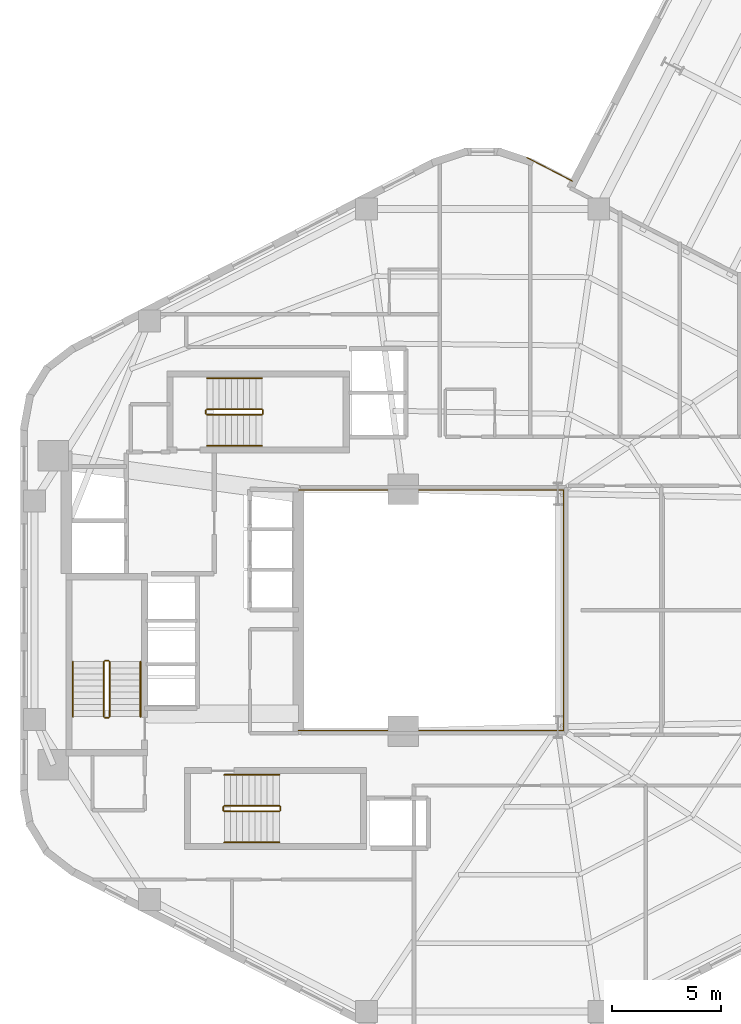
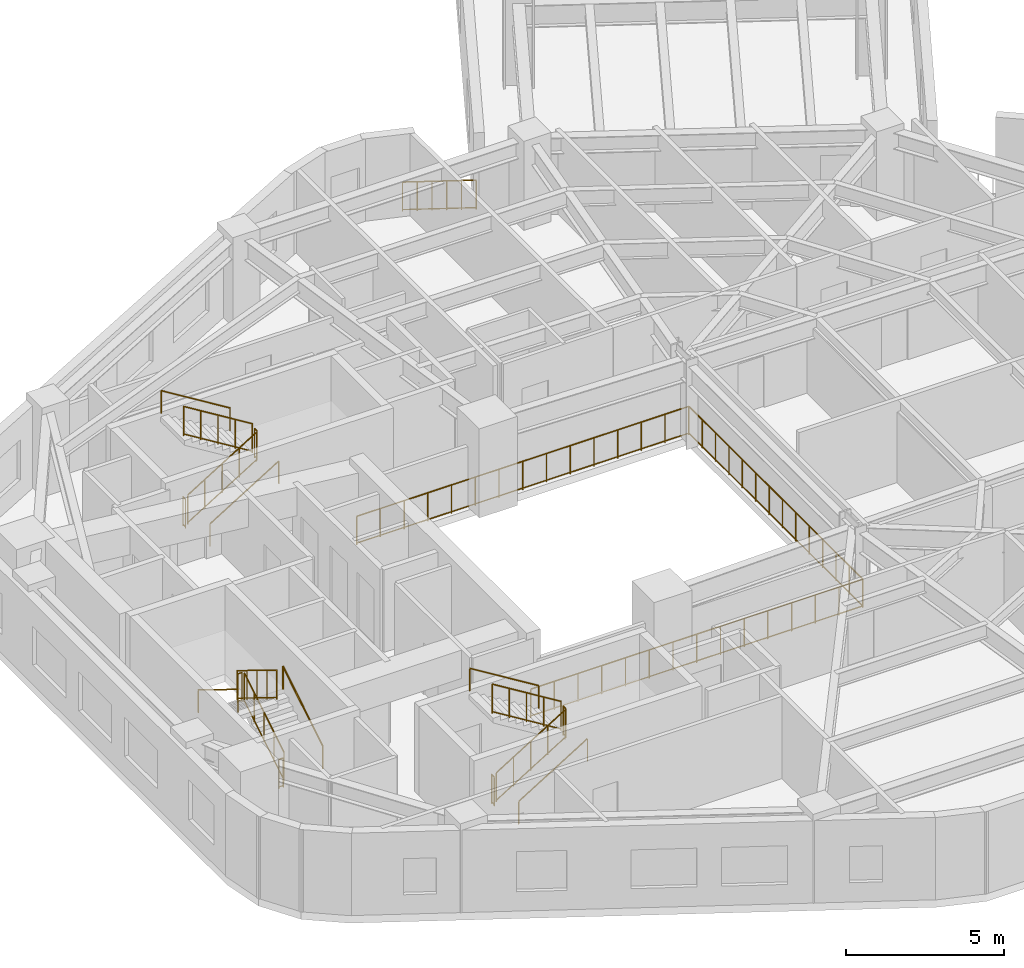
# One storey, part 10 of 11: 20 railings.
"""IFC4 building model written with IfcOpenShell, lengths in metres."""

from ifc_helpers import new_model, si_unit, direction, frame, origin, origin_2d, place, context, subcontext, project, spatial, circle, extrude, material, type_object, element, save


model = new_model("IFC4")

# Units and contexts
model_context = context("Model", 3, precision=1e-05, world=origin(), true_north=direction((0.0, 1.0)))
body_context = subcontext(model_context, "Body", "Model", "MODEL_VIEW")
ifc_project = project(units=[si_unit("LENGTHUNIT", "METRE"), si_unit("AREAUNIT", "SQUARE_METRE"), si_unit("VOLUMEUNIT", "CUBIC_METRE"), si_unit("PLANEANGLEUNIT", "RADIAN"), si_unit("MASSUNIT", "GRAM", prefix="KILO"), si_unit("THERMODYNAMICTEMPERATUREUNIT", "KELVIN"), si_unit("POWERUNIT", "WATT")], contexts=[model_context])

# Site, building, storey
site_placement = place(None, origin())
site = spatial("IfcSite", under=ifc_project, at=site_placement, CompositionType="ELEMENT")
building_placement = place(site_placement, origin())
building = spatial("IfcBuilding", under=site, at=building_placement, Name="Skarre Station Tower", CompositionType="ELEMENT")
storey_placement = place(building_placement, frame((0.0, 0.0, 118.800048828125)))
storey = spatial("IfcBuildingStorey", under=building, at=storey_placement, Name="L31", CompositionType="ELEMENT", Elevation=118.800048828125)

# Railings
ifc_material_1 = material(Name="Bronze Anodized Steel & Laminated Glass Balustrade", Category="steel")
railing_type_1 = type_object("IfcRailingType", Name="Atrium Void & Mezzanine Guard Balustrade 1120", PredefinedType="GUARDRAIL", material=ifc_material_1)
railing_1_placement = place(storey_placement, frame((27.550048828125, 18.47998046875, 0.0)))
element("IfcRailing", 1, at=railing_1_placement, inside=storey, type_object=railing_type_1, Name="L31 Atrium Void Guard Balustrade", PredefinedType="GUARDRAIL", context=body_context, shape_type="SweptSolid", body=[
    extrude(circle(Radius=0.02392578125, at=origin_2d()), frame((0.0, 0.0, 1.09619140625), z_axis=(1.0, 0.0, 0.0), x_axis=(0.0, 1.0, 0.0)), (0.0, 0.0, 1.0), 12.169921875),
    extrude(circle(Radius=0.02099609375, at=origin_2d()), frame((0.0, 0.0, 0.06005859375), z_axis=(1.0, 0.0, 0.0), x_axis=(0.0, 1.0, 0.0)), (0.0, 0.0, 1.0), 12.169921875),
    extrude(circle(Radius=0.02392578125, at=origin_2d()), frame((12.169921875, 0.0, 1.09619140625), z_axis=(0.0, 1.0, 0.0), x_axis=(-1.0, 0.0, 0.0)), (0.0, 0.0, 1.0), 11.0400390625),
    extrude(circle(Radius=0.02099609375, at=origin_2d()), frame((12.169921875, 0.0, 0.06005859375), z_axis=(0.0, 1.0, 0.0), x_axis=(-1.0, 0.0, 0.0)), (0.0, 0.0, 1.0), 11.0400390625),
    extrude(circle(Radius=0.02392578125, at=origin_2d()), frame((12.169921875, 11.0400390625, 1.09619140625), z_axis=(-1.0, 0.0, 0.0), x_axis=(0.0, -1.0, 0.0)), (0.0, 0.0, 1.0), 12.169921875),
    extrude(circle(Radius=0.02099609375, at=origin_2d()), frame((12.169921875, 11.0400390625, 0.06005859375), z_axis=(-1.0, 0.0, 0.0), x_axis=(0.0, -1.0, 0.0)), (0.0, 0.0, 1.0), 12.169921875),
    extrude(circle(Radius=0.02099609375, at=origin_2d()), origin(), (0.0, 0.0, 1.0), 1.072021484375),
    extrude(circle(Radius=0.02099609375, at=origin_2d()), frame((0.869384765625, 0.0, 0.0)), (0.0, 0.0, 1.0), 1.072021484375),
    extrude(circle(Radius=0.02099609375, at=origin_2d()), frame((1.738525390625, 0.0, 0.0)), (0.0, 0.0, 1.0), 1.072021484375),
    extrude(circle(Radius=0.02099609375, at=origin_2d()), frame((2.60791015625, 0.0, 0.0)), (0.0, 0.0, 1.0), 1.072021484375),
    extrude(circle(Radius=0.02099609375, at=origin_2d()), frame((3.47705078125, 0.0, 0.0)), (0.0, 0.0, 1.0), 1.072021484375),
    extrude(circle(Radius=0.02099609375, at=origin_2d()), frame((4.346435546875, 0.0, 0.0)), (0.0, 0.0, 1.0), 1.072021484375),
    extrude(circle(Radius=0.02099609375, at=origin_2d()), frame((5.215576171875, 0.0, 0.0)), (0.0, 0.0, 1.0), 1.072021484375),
    extrude(circle(Radius=0.02099609375, at=origin_2d()), frame((6.0849609375, 0.0, 0.0)), (0.0, 0.0, 1.0), 1.072021484375),
    extrude(circle(Radius=0.02099609375, at=origin_2d()), frame((6.954345703125, 0.0, 0.0)), (0.0, 0.0, 1.0), 1.072021484375),
    extrude(circle(Radius=0.02099609375, at=origin_2d()), frame((7.823486328125, 0.0, 0.0)), (0.0, 0.0, 1.0), 1.072021484375),
    extrude(circle(Radius=0.02099609375, at=origin_2d()), frame((8.69287109375, 0.0, 0.0)), (0.0, 0.0, 1.0), 1.072021484375),
    extrude(circle(Radius=0.02099609375, at=origin_2d()), frame((9.56201171875, 0.0, 0.0)), (0.0, 0.0, 1.0), 1.072021484375),
    extrude(circle(Radius=0.02099609375, at=origin_2d()), frame((10.431396484375, 0.0, 0.0)), (0.0, 0.0, 1.0), 1.072021484375),
    extrude(circle(Radius=0.02099609375, at=origin_2d()), frame((11.300537109375, 0.0, 0.0)), (0.0, 0.0, 1.0), 1.072021484375),
    extrude(circle(Radius=0.02099609375, at=origin_2d()), frame((12.169921875, 0.0, 0.0)), (0.0, 0.0, 1.0), 1.072021484375),
    extrude(circle(Radius=0.02099609375, at=origin_2d()), frame((12.169921875, 0.84912109375, 0.0)), (0.0, 0.0, 1.0), 1.072021484375),
    extrude(circle(Radius=0.02099609375, at=origin_2d()), frame((12.169921875, 1.698486328125, 0.0)), (0.0, 0.0, 1.0), 1.072021484375),
    extrude(circle(Radius=0.02099609375, at=origin_2d()), frame((12.169921875, 2.547607421875, 0.0)), (0.0, 0.0, 1.0), 1.072021484375),
    extrude(circle(Radius=0.02099609375, at=origin_2d()), frame((12.169921875, 3.39697265625, 0.0)), (0.0, 0.0, 1.0), 1.072021484375),
    extrude(circle(Radius=0.02099609375, at=origin_2d()), frame((12.169921875, 4.24609375, 0.0)), (0.0, 0.0, 1.0), 1.072021484375),
    extrude(circle(Radius=0.02099609375, at=origin_2d()), frame((12.169921875, 5.095458984375, 0.0)), (0.0, 0.0, 1.0), 1.072021484375),
    extrude(circle(Radius=0.02099609375, at=origin_2d()), frame((12.169921875, 5.944580078125, 0.0)), (0.0, 0.0, 1.0), 1.072021484375),
    extrude(circle(Radius=0.02099609375, at=origin_2d()), frame((12.169921875, 6.7939453125, 0.0)), (0.0, 0.0, 1.0), 1.072021484375),
    extrude(circle(Radius=0.02099609375, at=origin_2d()), frame((12.169921875, 7.64306640625, 0.0)), (0.0, 0.0, 1.0), 1.072021484375),
    extrude(circle(Radius=0.02099609375, at=origin_2d()), frame((12.169921875, 8.492431640625, 0.0)), (0.0, 0.0, 1.0), 1.072021484375),
    extrude(circle(Radius=0.02099609375, at=origin_2d()), frame((12.169921875, 9.341552734375, 0.0)), (0.0, 0.0, 1.0), 1.072021484375),
    extrude(circle(Radius=0.02099609375, at=origin_2d()), frame((12.169921875, 10.19091796875, 0.0)), (0.0, 0.0, 1.0), 1.072021484375),
    extrude(circle(Radius=0.02099609375, at=origin_2d()), frame((12.169921875, 11.0400390625, 0.0)), (0.0, 0.0, 1.0), 1.072021484375),
    extrude(circle(Radius=0.02099609375, at=origin_2d()), frame((11.300537109375, 11.0400390625, 0.0)), (0.0, 0.0, 1.0), 1.072021484375),
    extrude(circle(Radius=0.02099609375, at=origin_2d()), frame((10.431396484375, 11.0400390625, 0.0)), (0.0, 0.0, 1.0), 1.072021484375),
    extrude(circle(Radius=0.02099609375, at=origin_2d()), frame((9.56201171875, 11.0400390625, 0.0)), (0.0, 0.0, 1.0), 1.072021484375),
    extrude(circle(Radius=0.02099609375, at=origin_2d()), frame((8.69287109375, 11.0400390625, 0.0)), (0.0, 0.0, 1.0), 1.072021484375),
    extrude(circle(Radius=0.02099609375, at=origin_2d()), frame((7.823486328125, 11.0400390625, 0.0)), (0.0, 0.0, 1.0), 1.072021484375),
    extrude(circle(Radius=0.02099609375, at=origin_2d()), frame((6.954345703125, 11.0400390625, 0.0)), (0.0, 0.0, 1.0), 1.072021484375),
    extrude(circle(Radius=0.02099609375, at=origin_2d()), frame((6.0849609375, 11.0400390625, 0.0)), (0.0, 0.0, 1.0), 1.072021484375),
    extrude(circle(Radius=0.02099609375, at=origin_2d()), frame((5.215576171875, 11.0400390625, 0.0)), (0.0, 0.0, 1.0), 1.072021484375),
    extrude(circle(Radius=0.02099609375, at=origin_2d()), frame((4.346435546875, 11.0400390625, 0.0)), (0.0, 0.0, 1.0), 1.072021484375),
    extrude(circle(Radius=0.02099609375, at=origin_2d()), frame((3.47705078125, 11.0400390625, 0.0)), (0.0, 0.0, 1.0), 1.072021484375),
    extrude(circle(Radius=0.02099609375, at=origin_2d()), frame((2.60791015625, 11.0400390625, 0.0)), (0.0, 0.0, 1.0), 1.072021484375),
    extrude(circle(Radius=0.02099609375, at=origin_2d()), frame((1.738525390625, 11.0400390625, 0.0)), (0.0, 0.0, 1.0), 1.072021484375),
    extrude(circle(Radius=0.02099609375, at=origin_2d()), frame((0.869384765625, 11.0400390625, 0.0)), (0.0, 0.0, 1.0), 1.072021484375),
    extrude(circle(Radius=0.02099609375, at=origin_2d()), frame((0.0, 11.0400390625, 0.0)), (0.0, 0.0, 1.0), 1.072021484375),
])
ifc_material_2 = material(Name="Stainless Steel Grade 316L & Laminated Safety Glass", Category="steel")
railing_type_2 = type_object("IfcRailingType", Name="Laminated Glass & Stainless Terrace Guardrail 1150", PredefinedType="BALUSTRADE", material=ifc_material_2)
railing_2_placement = place(storey_placement, frame((38.032958984375, 44.77294921875, 0.0)))
element("IfcRailing", 2, at=railing_2_placement, inside=storey, type_object=railing_type_2, Name="L31 SB-2 Shoulder Ledge Guardrail 1", PredefinedType="BALUSTRADE", context=body_context, shape_type="SweptSolid", body=[
    extrude(circle(Radius=0.02392578125, at=origin_2d()), frame((0.0, 0.0, 1.1259765625), z_axis=(0.888564539427, -0.458751631356, 0.0), x_axis=(0.458751631356, 0.888564539427, 0.0)), (0.0, 0.0, 1.0), 2.345458984375),
    extrude(circle(Radius=0.02099609375, at=origin_2d()), frame((0.0, 0.0, 0.06005859375), z_axis=(0.888564539427, -0.458751631356, 0.0), x_axis=(0.458751631356, 0.888564539427, 0.0)), (0.0, 0.0, 1.0), 2.345458984375),
    extrude(circle(Radius=0.02099609375, at=origin_2d()), origin(), (0.0, 0.0, 1.0), 1.101806640625),
    extrude(circle(Radius=0.02099609375, at=origin_2d()), frame((0.416748046875, -0.215087890625, 0.0)), (0.0, 0.0, 1.0), 1.101806640625),
    extrude(circle(Radius=0.02099609375, at=origin_2d()), frame((0.83349609375, -0.430419921875, 0.0)), (0.0, 0.0, 1.0), 1.101806640625),
    extrude(circle(Radius=0.02099609375, at=origin_2d()), frame((1.25048828125, -0.6455078125, 0.0)), (0.0, 0.0, 1.0), 1.101806640625),
    extrude(circle(Radius=0.02099609375, at=origin_2d()), frame((1.667236328125, -0.86083984375, 0.0)), (0.0, 0.0, 1.0), 1.101806640625),
    extrude(circle(Radius=0.02099609375, at=origin_2d()), frame((2.083984375, -1.075927734375, 0.0)), (0.0, 0.0, 1.0), 1.101806640625),
])
ifc_material_3 = material(Name="Powder-Coated Tubular Steel", Category="steel")
railing_type_3 = type_object("IfcRailingType", Name="Painted Steel Ramp & Stair Handrail 920", PredefinedType="HANDRAIL", material=ifc_material_3)
railing_3_placement = place(storey_placement, frame((20.300048828125, 19.1201171875, 0.17236328125)))
element("IfcRailing", 3, at=railing_3_placement, inside=storey, type_object=railing_type_3, Name="L31 ST-1 stair handrail 1", PredefinedType="HANDRAIL", context=body_context, shape_type="SweptSolid", body=[
    extrude(circle(Radius=0.02392578125, at=origin_2d()), frame((0.0, 0.0, 0.8759765625), z_axis=(0.0, 0.851377800117, 0.52455299205), x_axis=(-1.0, 0.0, 0.0)), (0.0, 0.0, 1.0), 2.959716796875),
    extrude(circle(Radius=0.02099609375, at=origin_2d()), origin(), (0.0, 0.0, 1.0), 0.851806640625),
    extrude(circle(Radius=0.02099609375, at=origin_2d()), frame((0.0, 2.519775390625, 1.552490234375)), (0.0, 0.0, 1.0), 0.851806640625),
])
railing_4_placement = place(storey_placement, frame((17.199951171875, 21.639892578125, 1.8974609375)))
element("IfcRailing", 4, at=railing_4_placement, inside=storey, type_object=railing_type_3, Name="L31 ST-1 stair handrail 2", PredefinedType="HANDRAIL", context=body_context, shape_type="SweptSolid", body=[
    extrude(circle(Radius=0.02392578125, at=origin_2d()), frame((0.0, 0.0, 0.8759765625), z_axis=(0.0, -0.851377800117, 0.52455299205), x_axis=(1.0, 0.0, 0.0)), (0.0, 0.0, 1.0), 2.959716796875),
    extrude(circle(Radius=0.02099609375, at=origin_2d()), origin(), (0.0, 0.0, 1.0), 0.851806640625),
    extrude(circle(Radius=0.02099609375, at=origin_2d()), frame((0.0, -2.519775390625, 1.552490234375)), (0.0, 0.0, 1.0), 0.851806640625),
])
railing_5_placement = place(storey_placement, frame((24.14990234375, 13.35009765625, 0.17236328125)))
element("IfcRailing", 5, at=railing_5_placement, inside=storey, type_object=railing_type_3, Name="L31 ST-2 stair handrail 1", PredefinedType="HANDRAIL", context=body_context, shape_type="SweptSolid", body=[
    extrude(circle(Radius=0.02392578125, at=origin_2d()), frame((0.0, 0.0, 0.8759765625), z_axis=(0.851400495292, 0.0, 0.524516154772), x_axis=(0.0, 1.0, 0.0)), (0.0, 0.0, 1.0), 2.9599609375),
    extrude(circle(Radius=0.02099609375, at=origin_2d()), origin(), (0.0, 0.0, 1.0), 0.851806640625),
    extrude(circle(Radius=0.02099609375, at=origin_2d()), frame((2.52001953125, 0.0, 1.552490234375)), (0.0, 0.0, 1.0), 0.851806640625),
])
railing_6_placement = place(storey_placement, frame((26.669921875, 16.449951171875, 1.8974609375)))
element("IfcRailing", 6, at=railing_6_placement, inside=storey, type_object=railing_type_3, Name="L31 ST-2 stair handrail 2", PredefinedType="HANDRAIL", context=body_context, shape_type="SweptSolid", body=[
    extrude(circle(Radius=0.02392578125, at=origin_2d()), frame((0.0, 0.0, 0.8759765625), z_axis=(-0.851400495292, 0.0, 0.524516154772), x_axis=(0.0, -1.0, 0.0)), (0.0, 0.0, 1.0), 2.9599609375),
    extrude(circle(Radius=0.02099609375, at=origin_2d()), origin(), (0.0, 0.0, 1.0), 0.851806640625),
    extrude(circle(Radius=0.02099609375, at=origin_2d()), frame((-2.52001953125, 0.0, 1.552490234375)), (0.0, 0.0, 1.0), 0.851806640625),
])
railing_7_placement = place(storey_placement, frame((23.35009765625, 31.550048828125, 0.17236328125)))
element("IfcRailing", 7, at=railing_7_placement, inside=storey, type_object=railing_type_3, Name="L31 ST-3 stair handrail 1", PredefinedType="HANDRAIL", context=body_context, shape_type="SweptSolid", body=[
    extrude(circle(Radius=0.02392578125, at=origin_2d()), frame((0.0, 0.0, 0.8759765625), z_axis=(0.851400495292, 0.0, 0.524516154772), x_axis=(0.0, 1.0, 0.0)), (0.0, 0.0, 1.0), 2.9599609375),
    extrude(circle(Radius=0.02099609375, at=origin_2d()), origin(), (0.0, 0.0, 1.0), 0.851806640625),
    extrude(circle(Radius=0.02099609375, at=origin_2d()), frame((2.52001953125, 0.0, 1.552490234375)), (0.0, 0.0, 1.0), 0.851806640625),
])
railing_8_placement = place(storey_placement, frame((25.8701171875, 34.64990234375, 1.8974609375)))
element("IfcRailing", 8, at=railing_8_placement, inside=storey, type_object=railing_type_3, Name="L31 ST-3 stair handrail 2", PredefinedType="HANDRAIL", context=body_context, shape_type="SweptSolid", body=[
    extrude(circle(Radius=0.02392578125, at=origin_2d()), frame((0.0, 0.0, 0.8759765625), z_axis=(-0.851400495292, 0.0, 0.524516154772), x_axis=(0.0, -1.0, 0.0)), (0.0, 0.0, 1.0), 2.9599609375),
    extrude(circle(Radius=0.02099609375, at=origin_2d()), origin(), (0.0, 0.0, 1.0), 0.851806640625),
    extrude(circle(Radius=0.02099609375, at=origin_2d()), frame((-2.52001953125, 0.0, 1.552490234375)), (0.0, 0.0, 1.0), 0.851806640625),
])
railing_type_4 = type_object("IfcRailingType", Name="Painted Steel Stairwell Guardrail 1100", PredefinedType="GUARDRAIL", material=ifc_material_3)
railing_9_placement = place(storey_placement, frame((18.8798828125, 19.1201171875, 0.17236328125)))
element("IfcRailing", 9, at=railing_9_placement, inside=storey, type_object=railing_type_4, Name="L31 ST-1 stair guard 1", PredefinedType="GUARDRAIL", context=body_context, shape_type="SweptSolid", body=[
    extrude(circle(Radius=0.02392578125, at=origin_2d()), frame((0.0, 0.0, 1.1259765625), z_axis=(0.0, 0.851377800117, 0.52455299205), x_axis=(-1.0, 0.0, 0.0)), (0.0, 0.0, 1.0), 2.959716796875),
    extrude(circle(Radius=0.02099609375, at=origin_2d()), frame((0.0, 0.0, 0.06005859375), z_axis=(0.0, 0.851377800117, 0.52455299205), x_axis=(-1.0, 0.0, 0.0)), (0.0, 0.0, 1.0), 2.959716796875),
    extrude(circle(Radius=0.02099609375, at=origin_2d()), origin(), (0.0, 0.0, 1.0), 1.101806640625),
    extrude(circle(Radius=0.02099609375, at=origin_2d()), frame((0.0, 0.6298828125, 0.38818359375)), (0.0, 0.0, 1.0), 1.101806640625),
    extrude(circle(Radius=0.02099609375, at=origin_2d()), frame((0.0, 1.259765625, 0.7763671875)), (0.0, 0.0, 1.0), 1.101806640625),
    extrude(circle(Radius=0.02099609375, at=origin_2d()), frame((0.0, 1.889892578125, 1.164306640625)), (0.0, 0.0, 1.0), 1.101806640625),
    extrude(circle(Radius=0.02099609375, at=origin_2d()), frame((0.0, 2.519775390625, 1.552490234375)), (0.0, 0.0, 1.0), 1.101806640625),
])
railing_10_placement = place(storey_placement, frame((18.830078125, 21.68994140625, 1.724853515625)))
element("IfcRailing", 10, at=railing_10_placement, inside=storey, type_object=railing_type_4, Name="L31 ST-1 stair guard 2", PredefinedType="GUARDRAIL", context=body_context, shape_type="SweptSolid", body=[
    extrude(circle(Radius=0.02392578125, at=origin_2d()), frame((0.0, 0.0, 1.1259765625), z_axis=(-1.0, 0.0, 0.0), x_axis=(0.0, -1.0, 0.0)), (0.0, 0.0, 1.0), 0.16015625),
    extrude(circle(Radius=0.02099609375, at=origin_2d()), frame((0.0, 0.0, 0.06005859375), z_axis=(-1.0, 0.0, 0.0), x_axis=(0.0, -1.0, 0.0)), (0.0, 0.0, 1.0), 0.16015625),
    extrude(circle(Radius=0.02099609375, at=origin_2d()), origin(), (0.0, 0.0, 1.0), 1.101806640625),
    extrude(circle(Radius=0.02099609375, at=origin_2d()), frame((-0.16015625, 0.0, 0.0)), (0.0, 0.0, 1.0), 1.101806640625),
])
railing_11_placement = place(storey_placement, frame((18.6201171875, 21.639892578125, 1.8974609375)))
element("IfcRailing", 11, at=railing_11_placement, inside=storey, type_object=railing_type_4, Name="L31 ST-1 stair guard 3", PredefinedType="GUARDRAIL", context=body_context, shape_type="SweptSolid", body=[
    extrude(circle(Radius=0.02392578125, at=origin_2d()), frame((0.0, 0.0, 1.1259765625), z_axis=(0.0, -0.851377800117, 0.52455299205), x_axis=(1.0, 0.0, 0.0)), (0.0, 0.0, 1.0), 2.959716796875),
    extrude(circle(Radius=0.02099609375, at=origin_2d()), frame((0.0, 0.0, 0.06005859375), z_axis=(0.0, -0.851377800117, 0.52455299205), x_axis=(1.0, 0.0, 0.0)), (0.0, 0.0, 1.0), 2.959716796875),
    extrude(circle(Radius=0.02099609375, at=origin_2d()), origin(), (0.0, 0.0, 1.0), 1.101806640625),
    extrude(circle(Radius=0.02099609375, at=origin_2d()), frame((0.0, -0.6298828125, 0.38818359375)), (0.0, 0.0, 1.0), 1.101806640625),
    extrude(circle(Radius=0.02099609375, at=origin_2d()), frame((0.0, -1.259765625, 0.7763671875)), (0.0, 0.0, 1.0), 1.101806640625),
    extrude(circle(Radius=0.02099609375, at=origin_2d()), frame((0.0, -1.889892578125, 1.164306640625)), (0.0, 0.0, 1.0), 1.101806640625),
    extrude(circle(Radius=0.02099609375, at=origin_2d()), frame((0.0, -2.519775390625, 1.552490234375)), (0.0, 0.0, 1.0), 1.101806640625),
])
railing_12_placement = place(storey_placement, frame((18.830078125, 19.070068359375, 0.0)))
element("IfcRailing", 12, at=railing_12_placement, inside=storey, type_object=railing_type_4, Name="L31 ST-1 stair guard 4", PredefinedType="GUARDRAIL", context=body_context, shape_type="SweptSolid", body=[
    extrude(circle(Radius=0.02392578125, at=origin_2d()), frame((0.0, 0.0, 1.1259765625), z_axis=(-1.0, 0.0, 0.0), x_axis=(0.0, -1.0, 0.0)), (0.0, 0.0, 1.0), 0.16015625),
    extrude(circle(Radius=0.02099609375, at=origin_2d()), frame((0.0, 0.0, 0.06005859375), z_axis=(-1.0, 0.0, 0.0), x_axis=(0.0, -1.0, 0.0)), (0.0, 0.0, 1.0), 0.16015625),
    extrude(circle(Radius=0.02099609375, at=origin_2d()), origin(), (0.0, 0.0, 1.0), 1.101806640625),
    extrude(circle(Radius=0.02099609375, at=origin_2d()), frame((-0.16015625, 0.0, 0.0)), (0.0, 0.0, 1.0), 1.101806640625),
])
railing_13_placement = place(storey_placement, frame((24.14990234375, 14.77001953125, 0.17236328125)))
element("IfcRailing", 13, at=railing_13_placement, inside=storey, type_object=railing_type_4, Name="L31 ST-2 stair guard 1", PredefinedType="GUARDRAIL", context=body_context, shape_type="SweptSolid", body=[
    extrude(circle(Radius=0.02392578125, at=origin_2d()), frame((0.0, 0.0, 1.1259765625), z_axis=(0.851400495292, 0.0, 0.524516154772), x_axis=(0.0, 1.0, 0.0)), (0.0, 0.0, 1.0), 2.9599609375),
    extrude(circle(Radius=0.02099609375, at=origin_2d()), frame((0.0, 0.0, 0.06005859375), z_axis=(0.851400495292, 0.0, 0.524516154772), x_axis=(0.0, 1.0, 0.0)), (0.0, 0.0, 1.0), 2.9599609375),
    extrude(circle(Radius=0.02099609375, at=origin_2d()), origin(), (0.0, 0.0, 1.0), 1.101806640625),
    extrude(circle(Radius=0.02099609375, at=origin_2d()), frame((0.6298828125, 0.0, 0.38818359375)), (0.0, 0.0, 1.0), 1.101806640625),
    extrude(circle(Radius=0.02099609375, at=origin_2d()), frame((1.260009765625, 0.0, 0.7763671875)), (0.0, 0.0, 1.0), 1.101806640625),
    extrude(circle(Radius=0.02099609375, at=origin_2d()), frame((1.89013671875, 0.0, 1.164306640625)), (0.0, 0.0, 1.0), 1.101806640625),
    extrude(circle(Radius=0.02099609375, at=origin_2d()), frame((2.52001953125, 0.0, 1.552490234375)), (0.0, 0.0, 1.0), 1.101806640625),
])
railing_14_placement = place(storey_placement, frame((26.719970703125, 14.820068359375, 1.724853515625)))
element("IfcRailing", 14, at=railing_14_placement, inside=storey, type_object=railing_type_4, Name="L31 ST-2 stair guard 2", PredefinedType="GUARDRAIL", context=body_context, shape_type="SweptSolid", body=[
    extrude(circle(Radius=0.02392578125, at=origin_2d()), frame((0.0, 0.0, 1.1259765625), z_axis=(0.0, 1.0, 0.0), x_axis=(-1.0, 0.0, 0.0)), (0.0, 0.0, 1.0), 0.159912109375),
    extrude(circle(Radius=0.02099609375, at=origin_2d()), frame((0.0, 0.0, 0.06005859375), z_axis=(0.0, 1.0, 0.0), x_axis=(-1.0, 0.0, 0.0)), (0.0, 0.0, 1.0), 0.159912109375),
    extrude(circle(Radius=0.02099609375, at=origin_2d()), origin(), (0.0, 0.0, 1.0), 1.101806640625),
    extrude(circle(Radius=0.02099609375, at=origin_2d()), frame((0.0, 0.159912109375, 0.0)), (0.0, 0.0, 1.0), 1.101806640625),
])
railing_15_placement = place(storey_placement, frame((26.669921875, 15.030029296875, 1.8974609375)))
element("IfcRailing", 15, at=railing_15_placement, inside=storey, type_object=railing_type_4, Name="L31 ST-2 stair guard 3", PredefinedType="GUARDRAIL", context=body_context, shape_type="SweptSolid", body=[
    extrude(circle(Radius=0.02392578125, at=origin_2d()), frame((0.0, 0.0, 1.1259765625), z_axis=(-0.851400495292, 0.0, 0.524516154772), x_axis=(0.0, -1.0, 0.0)), (0.0, 0.0, 1.0), 2.9599609375),
    extrude(circle(Radius=0.02099609375, at=origin_2d()), frame((0.0, 0.0, 0.06005859375), z_axis=(-0.851400495292, 0.0, 0.524516154772), x_axis=(0.0, -1.0, 0.0)), (0.0, 0.0, 1.0), 2.9599609375),
    extrude(circle(Radius=0.02099609375, at=origin_2d()), origin(), (0.0, 0.0, 1.0), 1.101806640625),
    extrude(circle(Radius=0.02099609375, at=origin_2d()), frame((-0.6298828125, 0.0, 0.38818359375)), (0.0, 0.0, 1.0), 1.101806640625),
    extrude(circle(Radius=0.02099609375, at=origin_2d()), frame((-1.260009765625, 0.0, 0.7763671875)), (0.0, 0.0, 1.0), 1.101806640625),
    extrude(circle(Radius=0.02099609375, at=origin_2d()), frame((-1.89013671875, 0.0, 1.164306640625)), (0.0, 0.0, 1.0), 1.101806640625),
    extrude(circle(Radius=0.02099609375, at=origin_2d()), frame((-2.52001953125, 0.0, 1.552490234375)), (0.0, 0.0, 1.0), 1.101806640625),
])
railing_16_placement = place(storey_placement, frame((24.10009765625, 14.820068359375, 0.0)))
element("IfcRailing", 16, at=railing_16_placement, inside=storey, type_object=railing_type_4, Name="L31 ST-2 stair guard 4", PredefinedType="GUARDRAIL", context=body_context, shape_type="SweptSolid", body=[
    extrude(circle(Radius=0.02392578125, at=origin_2d()), frame((0.0, 0.0, 1.1259765625), z_axis=(0.0, 1.0, 0.0), x_axis=(-1.0, 0.0, 0.0)), (0.0, 0.0, 1.0), 0.159912109375),
    extrude(circle(Radius=0.02099609375, at=origin_2d()), frame((0.0, 0.0, 0.06005859375), z_axis=(0.0, 1.0, 0.0), x_axis=(-1.0, 0.0, 0.0)), (0.0, 0.0, 1.0), 0.159912109375),
    extrude(circle(Radius=0.02099609375, at=origin_2d()), origin(), (0.0, 0.0, 1.0), 1.101806640625),
    extrude(circle(Radius=0.02099609375, at=origin_2d()), frame((0.0, 0.159912109375, 0.0)), (0.0, 0.0, 1.0), 1.101806640625),
])
railing_17_placement = place(storey_placement, frame((23.35009765625, 32.969970703125, 0.17236328125)))
element("IfcRailing", 17, at=railing_17_placement, inside=storey, type_object=railing_type_4, Name="L31 ST-3 stair guard 1", PredefinedType="GUARDRAIL", context=body_context, shape_type="SweptSolid", body=[
    extrude(circle(Radius=0.02392578125, at=origin_2d()), frame((0.0, 0.0, 1.1259765625), z_axis=(0.851400495292, 0.0, 0.524516154772), x_axis=(0.0, 1.0, 0.0)), (0.0, 0.0, 1.0), 2.9599609375),
    extrude(circle(Radius=0.02099609375, at=origin_2d()), frame((0.0, 0.0, 0.06005859375), z_axis=(0.851400495292, 0.0, 0.524516154772), x_axis=(0.0, 1.0, 0.0)), (0.0, 0.0, 1.0), 2.9599609375),
    extrude(circle(Radius=0.02099609375, at=origin_2d()), origin(), (0.0, 0.0, 1.0), 1.101806640625),
    extrude(circle(Radius=0.02099609375, at=origin_2d()), frame((0.6298828125, 0.0, 0.38818359375)), (0.0, 0.0, 1.0), 1.101806640625),
    extrude(circle(Radius=0.02099609375, at=origin_2d()), frame((1.260009765625, 0.0, 0.7763671875)), (0.0, 0.0, 1.0), 1.101806640625),
    extrude(circle(Radius=0.02099609375, at=origin_2d()), frame((1.89013671875, 0.0, 1.164306640625)), (0.0, 0.0, 1.0), 1.101806640625),
    extrude(circle(Radius=0.02099609375, at=origin_2d()), frame((2.52001953125, 0.0, 1.552490234375)), (0.0, 0.0, 1.0), 1.101806640625),
])
railing_18_placement = place(storey_placement, frame((25.919921875, 33.02001953125, 1.724853515625)))
element("IfcRailing", 18, at=railing_18_placement, inside=storey, type_object=railing_type_4, Name="L31 ST-3 stair guard 2", PredefinedType="GUARDRAIL", context=body_context, shape_type="SweptSolid", body=[
    extrude(circle(Radius=0.02392578125, at=origin_2d()), frame((0.0, 0.0, 1.1259765625), z_axis=(0.0, 1.0, 0.0), x_axis=(-1.0, 0.0, 0.0)), (0.0, 0.0, 1.0), 0.159912109375),
    extrude(circle(Radius=0.02099609375, at=origin_2d()), frame((0.0, 0.0, 0.06005859375), z_axis=(0.0, 1.0, 0.0), x_axis=(-1.0, 0.0, 0.0)), (0.0, 0.0, 1.0), 0.159912109375),
    extrude(circle(Radius=0.02099609375, at=origin_2d()), origin(), (0.0, 0.0, 1.0), 1.101806640625),
    extrude(circle(Radius=0.02099609375, at=origin_2d()), frame((0.0, 0.159912109375, 0.0)), (0.0, 0.0, 1.0), 1.101806640625),
])
railing_19_placement = place(storey_placement, frame((25.8701171875, 33.22998046875, 1.8974609375)))
element("IfcRailing", 19, at=railing_19_placement, inside=storey, type_object=railing_type_4, Name="L31 ST-3 stair guard 3", PredefinedType="GUARDRAIL", context=body_context, shape_type="SweptSolid", body=[
    extrude(circle(Radius=0.02392578125, at=origin_2d()), frame((0.0, 0.0, 1.1259765625), z_axis=(-0.851400495292, 0.0, 0.524516154772), x_axis=(0.0, -1.0, 0.0)), (0.0, 0.0, 1.0), 2.9599609375),
    extrude(circle(Radius=0.02099609375, at=origin_2d()), frame((0.0, 0.0, 0.06005859375), z_axis=(-0.851400495292, 0.0, 0.524516154772), x_axis=(0.0, -1.0, 0.0)), (0.0, 0.0, 1.0), 2.9599609375),
    extrude(circle(Radius=0.02099609375, at=origin_2d()), origin(), (0.0, 0.0, 1.0), 1.101806640625),
    extrude(circle(Radius=0.02099609375, at=origin_2d()), frame((-0.6298828125, 0.0, 0.38818359375)), (0.0, 0.0, 1.0), 1.101806640625),
    extrude(circle(Radius=0.02099609375, at=origin_2d()), frame((-1.260009765625, 0.0, 0.7763671875)), (0.0, 0.0, 1.0), 1.101806640625),
    extrude(circle(Radius=0.02099609375, at=origin_2d()), frame((-1.89013671875, 0.0, 1.164306640625)), (0.0, 0.0, 1.0), 1.101806640625),
    extrude(circle(Radius=0.02099609375, at=origin_2d()), frame((-2.52001953125, 0.0, 1.552490234375)), (0.0, 0.0, 1.0), 1.101806640625),
])
railing_20_placement = place(storey_placement, frame((23.300048828125, 33.02001953125, 0.0)))
element("IfcRailing", 20, at=railing_20_placement, inside=storey, type_object=railing_type_4, Name="L31 ST-3 stair guard 4", PredefinedType="GUARDRAIL", context=body_context, shape_type="SweptSolid", body=[
    extrude(circle(Radius=0.02392578125, at=origin_2d()), frame((0.0, 0.0, 1.1259765625), z_axis=(0.0, 1.0, 0.0), x_axis=(-1.0, 0.0, 0.0)), (0.0, 0.0, 1.0), 0.159912109375),
    extrude(circle(Radius=0.02099609375, at=origin_2d()), frame((0.0, 0.0, 0.06005859375), z_axis=(0.0, 1.0, 0.0), x_axis=(-1.0, 0.0, 0.0)), (0.0, 0.0, 1.0), 0.159912109375),
    extrude(circle(Radius=0.02099609375, at=origin_2d()), origin(), (0.0, 0.0, 1.0), 1.101806640625),
    extrude(circle(Radius=0.02099609375, at=origin_2d()), frame((0.0, 0.159912109375, 0.0)), (0.0, 0.0, 1.0), 1.101806640625),
])

save(model, "model.ifc")
